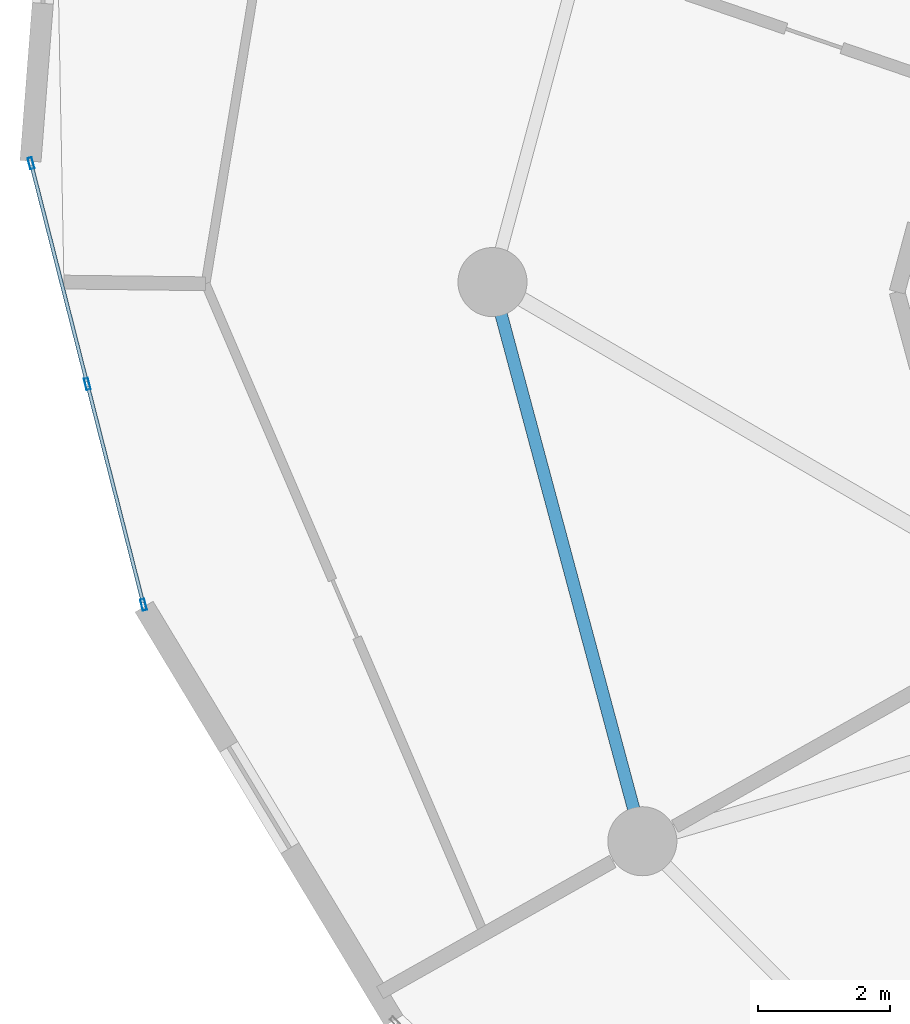
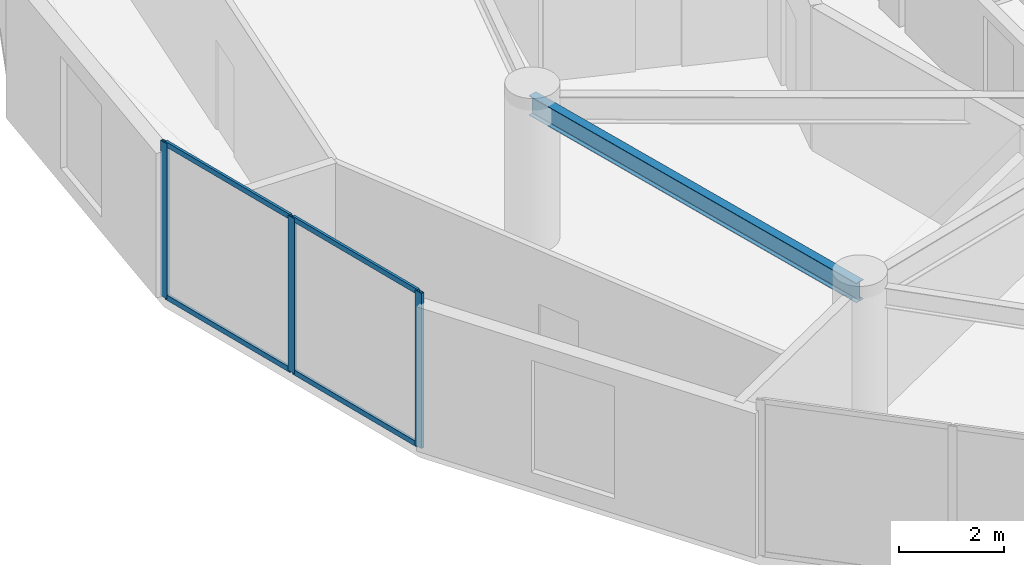
# One storey, part 6 of 25: 7 members, 1 beam, 1 element without a shape of its own.
"""IFC4 building model written with IfcOpenShell, lengths in metres."""

from ifc_helpers import new_model, si_unit, direction, frame, origin, origin_2d, place, context, subcontext, project, spatial, hollow_rectangle, i_section, extrude, source, transform, mapped, material, layer, layer_set, material_profile, profile_set, type_object, element, aggregate, save


model = new_model("IFC4")

# Units and contexts
model_context = context("Model", 3, precision=1e-05, world=origin(), true_north=direction((0.0, 1.0)))
body_context = subcontext(model_context, "Body", "Model", "MODEL_VIEW")
ifc_project = project(units=[si_unit("LENGTHUNIT", "METRE"), si_unit("AREAUNIT", "SQUARE_METRE"), si_unit("VOLUMEUNIT", "CUBIC_METRE"), si_unit("PLANEANGLEUNIT", "RADIAN"), si_unit("MASSUNIT", "GRAM", prefix="KILO")], contexts=[model_context])

# Site, building, storey
site_placement = place(None, origin())
site = spatial("IfcSite", under=ifc_project, at=site_placement, CompositionType="ELEMENT")
building_placement = place(site_placement, origin())
building = spatial("IfcBuilding", under=site, at=building_placement, Name="Solvirekh Grand Hotel", CompositionType="ELEMENT")
storey_placement = place(building_placement, frame((0.0, 0.0, 120.60009765625)))
storey = spatial("IfcBuildingStorey", under=building, at=storey_placement, Name="L30", CompositionType="ELEMENT", Elevation=120.60009765625)

# Beam
ifc_material_1 = material(Name="Steel S355", Category="steel")
ifc_material_profile_1 = material_profile(ifc_material_1, i_section(OverallWidth=0.18994140625, OverallDepth=0.45703125, WebThickness=0.009033203125, FlangeThickness=0.013916015625, FilletRadius=0.012939453125, at=origin_2d()), Name="W460X74")
ifc_profile_set_1 = profile_set([ifc_material_profile_1], Name="Steel S355")
beam_type = type_object("IfcBeamType", Name="Spandrel_Ring_W460", PredefinedType="SPANDREL", material=ifc_profile_set_1)
beam_placement = place(storey_placement, frame((-17.0, 0.0, 3.121826171875), z_axis=(0.258872908946, -0.965911391906, 0.0), x_axis=(0.965911391906, 0.258872908946, 0.0)))
element("IfcBeam", 1, at=beam_placement, inside=storey, type_object=beam_type, Name="L30 perimeter spandrel beam 7", PredefinedType="SPANDREL", context=body_context, shape_type="SweptSolid", body=[
    extrude(i_section(OverallWidth=0.18994140625, OverallDepth=0.45703125, WebThickness=0.009033203125, FlangeThickness=0.013916015625, FilletRadius=0.012939453125, at=origin_2d()), origin(), (0.0, 0.0, 1.0), 8.800048828125),
])

# Curtain wall, members
ifc_material_2 = material(Name="Anodized Bronze Aluminium 6063-T6", Category="aluminium")
ifc_layer = layer(ifc_material_2, 0.175048828125)
ifc_layer_set = layer_set([ifc_layer], Name="Anodized Bronze Aluminium 6063-T6")
curtain_wall_type = type_object("IfcCurtainWallType", Name="CW_Sys3_MidZoneFlushBronzeCW", PredefinedType="NOTDEFINED", material=ifc_layer_set)
curtain_wall_placement = place(storey_placement, origin())
curtain_wall = element("IfcCurtainWall", 2, at=curtain_wall_placement, inside=storey, type_object=curtain_wall_type, Name="L30 unitised bronze-glass curtain wall CW-L30-C13", PredefinedType="NOTDEFINED")
ifc_material_profile_2 = material_profile(ifc_material_2, hollow_rectangle(XDim=0.06494140625, YDim=0.175048828125, WallThickness=0.0048828125, at=origin_2d()), Name="ALU RHS 175X65X5")
ifc_profile_set_2 = profile_set([ifc_material_profile_2], Name="Anodized Bronze Aluminium 6063-T6")
member_type_1 = type_object("IfcMemberType", Name="CWMullion_Sys3", PredefinedType="MULLION", material=ifc_profile_set_2)
shared_shape_1 = source(origin(), body_context, "Body", "SweptSolid", [
    extrude(hollow_rectangle(XDim=0.06494140625, YDim=0.175048828125, WallThickness=0.0048828125, at=origin_2d()), origin(), (0.0, 0.0, 1.0), 3.599853515625),
])
member_1_placement = place(storey_placement, frame((-24.014892578125, 1.806396484375, 0.0), z_axis=(0.0, 0.0, 1.0), x_axis=(0.969029976997, 0.24694311831, 0.0)))
member_1 = element("IfcMember", 3, at=member_1_placement, type_object=member_type_1, Name="U03 mullion 1", PredefinedType="MULLION", context=body_context, shape_type="MappedRepresentation", body=[
    mapped(shared_shape_1, transform((0.0, 0.0, 0.0), x_axis=(1.0, 0.0, 0.0), y_axis=(0.0, 1.0, 0.0), z_axis=(0.0, 0.0, 1.0), scale=1.0)),
])
member_2_placement = place(storey_placement, frame((-23.159912109375, -1.548583984375, 0.0), z_axis=(0.0, 0.0, 1.0), x_axis=(0.969029976997, 0.24694311831, 0.0)))
member_2 = element("IfcMember", 4, at=member_2_placement, type_object=member_type_1, Name="U03 mullion 2", PredefinedType="MULLION", context=body_context, shape_type="MappedRepresentation", body=[
    mapped(shared_shape_1, transform((0.0, 0.0, 0.0), x_axis=(1.0, 0.0, 0.0), y_axis=(0.0, 1.0, 0.0), z_axis=(0.0, 0.0, 1.0), scale=1.0)),
])
member_3_placement = place(storey_placement, frame((-22.304931640625, -4.903564453125, 0.0), z_axis=(0.0, 0.0, 1.0), x_axis=(0.969029976997, 0.24694311831, 0.0)))
member_3 = element("IfcMember", 5, at=member_3_placement, type_object=member_type_1, Name="U03 mullion 3", PredefinedType="MULLION", context=body_context, shape_type="MappedRepresentation", body=[
    mapped(shared_shape_1, transform((0.0, 0.0, 0.0), x_axis=(1.0, 0.0, 0.0), y_axis=(0.0, 1.0, 0.0), z_axis=(0.0, 0.0, 1.0), scale=1.0)),
])
ifc_material_profile_3 = material_profile(ifc_material_2, hollow_rectangle(XDim=0.054931640625, YDim=0.1201171875, WallThickness=0.00390625, at=origin_2d()), Name="ALU RHS 120X55X4")
ifc_profile_set_3 = profile_set([ifc_material_profile_3], Name="Anodized Bronze Aluminium 6063-T6")
member_type_2 = type_object("IfcMemberType", Name="CWTransom_Sys3", PredefinedType="USERDEFINED", material=ifc_profile_set_3)
shared_shape_2 = source(origin(), body_context, "Body", "SweptSolid", [
    extrude(hollow_rectangle(XDim=0.054931640625, YDim=0.1201171875, WallThickness=0.00390625, at=origin_2d()), origin(), (0.0, 0.0, 1.0), 3.397216796875),
])
member_4_placement = place(storey_placement, frame((-24.0068359375, 1.77490234375, 0.02734375), z_axis=(0.246929607733, -0.96903341987, 0.0), x_axis=(0.96903341987, 0.246929607733, 0.0)))
member_4 = element("IfcMember", 6, at=member_4_placement, type_object=member_type_2, Name="U03 transom 1.1", ObjectType="TRANSOM", PredefinedType="USERDEFINED", context=body_context, shape_type="MappedRepresentation", body=[
    mapped(shared_shape_2, transform((0.0, 0.0, 0.0), x_axis=(1.0, 0.0, 0.0), y_axis=(0.0, 1.0, 0.0), z_axis=(0.0, 0.0, 1.0), scale=1.0)),
])
member_5_placement = place(storey_placement, frame((-24.0068359375, 1.77490234375, 3.572509765625), z_axis=(0.246929607733, -0.96903341987, 0.0), x_axis=(0.96903341987, 0.246929607733, 0.0)))
member_5 = element("IfcMember", 7, at=member_5_placement, type_object=member_type_2, Name="U03 transom 1.2", ObjectType="TRANSOM", PredefinedType="USERDEFINED", context=body_context, shape_type="MappedRepresentation", body=[
    mapped(shared_shape_2, transform((0.0, 0.0, 0.0), x_axis=(1.0, 0.0, 0.0), y_axis=(0.0, 1.0, 0.0), z_axis=(0.0, 0.0, 1.0), scale=1.0)),
])
member_6_placement = place(storey_placement, frame((-23.15185546875, -1.580078125, 0.02734375), z_axis=(0.246929607733, -0.96903341987, 0.0), x_axis=(0.96903341987, 0.246929607733, 0.0)))
member_6 = element("IfcMember", 8, at=member_6_placement, type_object=member_type_2, Name="U03 transom 2.1", ObjectType="TRANSOM", PredefinedType="USERDEFINED", context=body_context, shape_type="MappedRepresentation", body=[
    mapped(shared_shape_2, transform((0.0, 0.0, 0.0), x_axis=(1.0, 0.0, 0.0), y_axis=(0.0, 1.0, 0.0), z_axis=(0.0, 0.0, 1.0), scale=1.0)),
])
member_7_placement = place(storey_placement, frame((-23.15185546875, -1.580078125, 3.572509765625), z_axis=(0.246929607733, -0.96903341987, 0.0), x_axis=(0.96903341987, 0.246929607733, 0.0)))
member_7 = element("IfcMember", 9, at=member_7_placement, type_object=member_type_2, Name="U03 transom 2.2", ObjectType="TRANSOM", PredefinedType="USERDEFINED", context=body_context, shape_type="MappedRepresentation", body=[
    mapped(shared_shape_2, transform((0.0, 0.0, 0.0), x_axis=(1.0, 0.0, 0.0), y_axis=(0.0, 1.0, 0.0), z_axis=(0.0, 0.0, 1.0), scale=1.0)),
])
aggregate(curtain_wall, [member_1, member_2, member_3, member_4, member_5, member_6, member_7])

save(model, "model.ifc")
